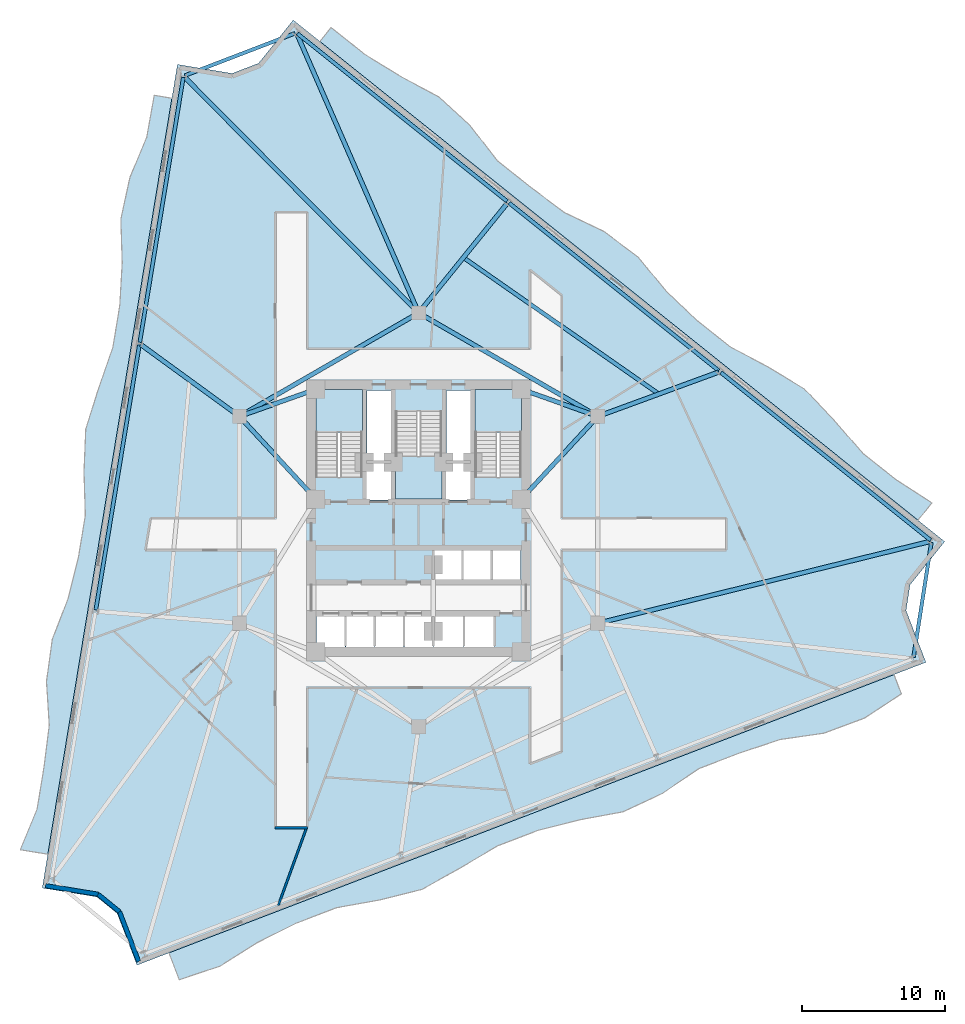
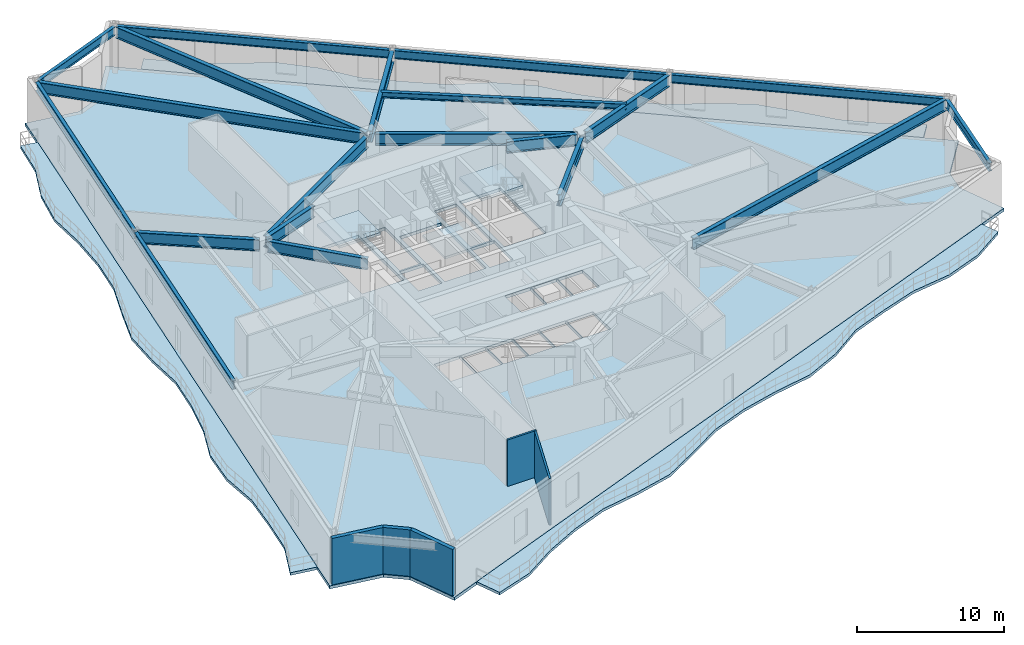
# One storey, part 3 of 11: 20 beams, 7 slabs, 5 walls, 3 elements without a shape of their own.
"""IFC4 building model written with IfcOpenShell, lengths in metres."""

import ifcopenshell
import ifcopenshell.guid

model = None  # the IFC model being written
_history = None  # IfcOwnerHistory: only IFC2X3 demands one
_inside = {}  # id of a spatial element -> (the spatial element, [elements in it])
_under = {}  # id of a project, library or spatial element -> (it, [spatial elements below it])
_declared = {}  # id of a project -> (the project, [libraries it declares])
_typed = {}  # id of a type object -> (the type object, [elements of that type])
_made_of = {}  # id of a material, layer set ... -> (it, [elements and type objects made of it])


def new_model(schema):
    """Start an empty IFC model of exactly this schema.

    Asked for "IFC4X3", IfcOpenShell would pick the latest addendum, in which some entities
    have other attributes; the version numbers below select the first issue.
    IFC2X3 requires an IfcOwnerHistory on every rooted entity: one is made here for all.
    """
    global model, _history
    if schema == "IFC4X3":
        model = ifcopenshell.file(schema_version=(4, 3, 0, 0))
    else:
        model = ifcopenshell.file(schema=schema)
    _inside.clear()
    _under.clear()
    _declared.clear()
    _typed.clear()
    _made_of.clear()
    _history = None
    if model.schema == "IFC2X3":
        org = make("IfcOrganization", Name="unknown")
        user = make(
            "IfcPersonAndOrganization",
            ThePerson=make("IfcPerson", FamilyName="unknown"),
            TheOrganization=org,
        )
        app = make(
            "IfcApplication",
            ApplicationDeveloper=org,
            Version="unknown",
            ApplicationFullName="unknown",
            ApplicationIdentifier="unknown",
        )
        _history = make(
            "IfcOwnerHistory",
            OwningUser=user,
            OwningApplication=app,
            ChangeAction="ADDED",
            CreationDate=0,
        )
    return model


def make(cls, **values):
    """One entity of the class cls with the attributes given. An attribute that is None is left unset."""
    return model.create_entity(
        cls, **{name: value for name, value in values.items() if value is not None}
    )


def rooted(cls, **values):
    """An entity with a GlobalId (a new one), such as an element, a storey or a relation."""
    return make(cls, GlobalId=ifcopenshell.guid.new(), OwnerHistory=_history, **values)


def si_unit(unit_type, name, prefix=None):
    """IfcSIUnit, for example si_unit("LENGTHUNIT", "METRE", prefix="MILLI")."""
    return make("IfcSIUnit", UnitType=unit_type, Prefix=prefix, Name=name)


def assignment(units):
    """IfcUnitAssignment: the units of a project."""
    return None if units is None else make("IfcUnitAssignment", Units=units)


def point(xyz):
    """IfcCartesianPoint."""
    return None if xyz is None else make("IfcCartesianPoint", Coordinates=xyz)


def direction(xyz):
    """IfcDirection."""
    return None if xyz is None else make("IfcDirection", DirectionRatios=xyz)


def frame(location, z_axis=None, x_axis=None):
    """IfcAxis2Placement3D, a coordinate frame: its origin and axes. An axis left out is left unset."""
    return make(
        "IfcAxis2Placement3D",
        Location=point(location),
        Axis=direction(z_axis),
        RefDirection=direction(x_axis),
    )


def frame_2d(location, x_axis=None):
    """IfcAxis2Placement2D, a coordinate frame in the plane: its origin and x axis."""
    return make(
        "IfcAxis2Placement2D", Location=point(location), RefDirection=direction(x_axis)
    )


def origin():
    """The frame at (0, 0, 0) with its axes left unset."""
    return frame((0.0, 0.0, 0.0))


def origin_2d():
    """The frame at (0, 0) in the plane with its x axis left unset."""
    return frame_2d((0.0, 0.0))


def place(relative_to, where):
    """IfcLocalPlacement: puts the frame where relative to a parent placement (None: the world)."""
    return make(
        "IfcLocalPlacement", PlacementRelTo=relative_to, RelativePlacement=where
    )


def context(
    kind, dimensions, precision=None, world=None, true_north=None, identifier=None
):
    """IfcGeometricRepresentationContext, for example the 3D "Model" context."""
    return make(
        "IfcGeometricRepresentationContext",
        ContextIdentifier=identifier,
        ContextType=kind,
        CoordinateSpaceDimension=dimensions,
        Precision=precision,
        WorldCoordinateSystem=world,
        TrueNorth=true_north,
    )


def subcontext(parent, identifier, kind, view, scale=None):
    """IfcGeometricRepresentationSubContext, for example "Body" below "Model"."""
    return make(
        "IfcGeometricRepresentationSubContext",
        ContextIdentifier=identifier,
        ContextType=kind,
        ParentContext=parent,
        TargetScale=scale,
        TargetView=view,
    )


def project(units=None, contexts=None):
    """IfcProject with its units and contexts."""
    return rooted(
        "IfcProject",
        Name="project",
        RepresentationContexts=contexts,
        UnitsInContext=assignment(units),
    )


def spatial(cls, under=None, at=None, **own):
    """A site, building, storey or space (cls), placed at a placement, below another one or the project."""
    s = rooted(cls, ObjectPlacement=at, **own)
    if under is not None:
        _under.setdefault(under.id(), (under, []))[1].append(s)
    return s


def polyline(points):
    """IfcPolyline through the points."""
    return make("IfcPolyline", Points=[point(p) for p in points])


def profile(cls, at=None, kind="AREA", **sizes):
    """A parametric profile (cls). Its sizes go by their IFC names, for example OverallWidth=200.0."""
    return make(cls, ProfileType=kind, Position=at, **sizes)


def rectangle(**sizes):
    """IfcRectangleProfileDef."""
    return profile("IfcRectangleProfileDef", **sizes)


def i_section(**sizes):
    """IfcIShapeProfileDef."""
    return profile("IfcIShapeProfileDef", **sizes)


def outline(outer, holes=None, kind="AREA"):
    """IfcArbitraryClosedProfileDef: a profile drawn as a closed curve; with holes, ...WithVoids."""
    if holes is None:
        return make("IfcArbitraryClosedProfileDef", ProfileType=kind, OuterCurve=outer)
    return make(
        "IfcArbitraryProfileDefWithVoids",
        ProfileType=kind,
        OuterCurve=outer,
        InnerCurves=holes,
    )


def extrude(swept, where, along, depth):
    """IfcExtrudedAreaSolid: the profile swept, set in the frame where, extruded along a direction by depth."""
    return make(
        "IfcExtrudedAreaSolid",
        SweptArea=swept,
        Position=where,
        ExtrudedDirection=direction(along),
        Depth=depth,
    )


def shape(context_of_items, identifier, shape_type, items):
    """IfcShapeRepresentation: the items that make up one representation, for example the "Body"."""
    return make(
        "IfcShapeRepresentation",
        ContextOfItems=context_of_items,
        RepresentationIdentifier=identifier,
        RepresentationType=shape_type,
        Items=items,
    )


def material(Name=None, Category=None):
    """IfcMaterial."""
    return make("IfcMaterial", Name=Name, Category=Category)


def layer(
    of_material, thickness, ventilated=None, Name=None, Category=None, Priority=None
):
    """IfcMaterialLayer: one layer of a wall or slab, of a material (None: an air gap)."""
    return make(
        "IfcMaterialLayer",
        Material=of_material,
        LayerThickness=thickness,
        IsVentilated=ventilated,
        Name=Name,
        Category=Category,
        Priority=Priority,
    )


def layer_set(layers, Name=None):
    """IfcMaterialLayerSet."""
    return make("IfcMaterialLayerSet", MaterialLayers=layers, LayerSetName=Name)


def material_profile(
    of_material, cross_section, Name=None, Category=None, Priority=None
):
    """IfcMaterialProfile: a cross section and its material."""
    return make(
        "IfcMaterialProfile",
        Name=Name,
        Material=of_material,
        Profile=cross_section,
        Priority=Priority,
        Category=Category,
    )


def profile_set(profiles, Name=None, composite=None):
    """IfcMaterialProfileSet."""
    return make(
        "IfcMaterialProfileSet",
        Name=Name,
        MaterialProfiles=profiles,
        CompositeProfile=composite,
    )


def made_of(thing, what):
    """Note that an element or type object is made of a material, layer set ...; save() writes the relation."""
    if what is not None:
        _made_of.setdefault(what.id(), (what, []))[1].append(thing)
    return thing


def type_object(cls, material=None, **own):
    """A type object (cls), such as IfcWallType, which elements share."""
    return made_of(rooted(cls, **own), material)


def element(
    cls,
    number,
    at=None,
    inside=None,
    cuts=None,
    type_object=None,
    material=None,
    context=None,
    identifier="Body",
    shape_type=None,
    held_by="IfcProductDefinitionShape",
    body=None,
    shapes=None,
    **own,
):
    """One element of the class cls, such as IfcWall. Its Tag is "e" and its number.

    at: its placement. inside: the storey or other place that contains it. cuts: it is an
    opening in that element (IfcRelVoidsElement). A single representation is given by context,
    identifier, shape_type and body (its items); several are given by shapes. held_by: the class
    of the entity that holds the representations. save() writes the other relations.
    """
    e = rooted(cls, Tag="e%d" % number, ObjectPlacement=at, **own)
    if body is not None:
        shapes = [shape(context, identifier, shape_type, body)]
    if shapes is not None:
        e.Representation = make(held_by, Representations=shapes)
    if inside is not None:
        _inside.setdefault(inside.id(), (inside, []))[1].append(e)
    if cuts is not None:
        rooted(
            "IfcRelVoidsElement", RelatingBuildingElement=cuts, RelatedOpeningElement=e
        )
    if type_object is not None:
        _typed.setdefault(type_object.id(), (type_object, []))[1].append(e)
    return made_of(e, material)


def aggregate(whole, parts):
    """IfcRelAggregates: a whole, such as a stair, and the parts it consists of."""
    return rooted("IfcRelAggregates", RelatingObject=whole, RelatedObjects=parts)


def save(model, path):
    """Write the relations noted so far, then the file.

    IfcRelAggregates (storeys below a building ...), IfcRelContainedInSpatialStructure (elements
    in a storey), IfcRelDefinesByType, IfcRelAssociatesMaterial and IfcRelDeclares: one each for
    every whole, place, type object, material and project.
    """
    for whole, parts in _under.values():
        aggregate(whole, parts)
    for where, things in _inside.values():
        rooted(
            "IfcRelContainedInSpatialStructure",
            RelatedElements=things,
            RelatingStructure=where,
        )
    for kind, things in _typed.values():
        rooted("IfcRelDefinesByType", RelatedObjects=things, RelatingType=kind)
    for what, things in _made_of.values():
        rooted("IfcRelAssociatesMaterial", RelatedObjects=things, RelatingMaterial=what)
    for by, libraries in _declared.values():
        rooted("IfcRelDeclares", RelatingContext=by, RelatedDefinitions=libraries)
    model.write(path)


model = new_model("IFC4")

# Units and contexts
model_context = context("Model", 3, precision=1e-05, world=origin(), true_north=direction((0.0, 1.0)))
body_context = subcontext(model_context, "Body", "Model", "MODEL_VIEW")
ifc_project = project(units=[si_unit("LENGTHUNIT", "METRE"), si_unit("AREAUNIT", "SQUARE_METRE"), si_unit("VOLUMEUNIT", "CUBIC_METRE"), si_unit("PLANEANGLEUNIT", "RADIAN"), si_unit("MASSUNIT", "GRAM", prefix="KILO")], contexts=[model_context])

# Site, building, storey
site_placement = place(None, origin())
site = spatial("IfcSite", under=ifc_project, at=site_placement, CompositionType="ELEMENT")
building_placement = place(site_placement, origin())
building = spatial("IfcBuilding", under=site, at=building_placement, Name="Apsidion Concourse Tower", CompositionType="ELEMENT")
storey_placement = place(building_placement, frame((0.0, 0.0, 132.199951171875)))
storey = spatial("IfcBuildingStorey", under=building, at=storey_placement, Name="L30", CompositionType="ELEMENT", Elevation=132.199951171875)

# Beams
ifc_material_1 = material(Name="Structural steel ASTM A992 Grade 50", Category="steel")
ifc_material_profile_1 = material_profile(ifc_material_1, i_section(OverallWidth=0.280029296875, OverallDepth=0.462890625, WebThickness=0.0107421875, FlangeThickness=0.017333984375, at=origin_2d()), Name="W18X76")
ifc_profile_set_1 = profile_set([ifc_material_profile_1], Name="Structural steel ASTM A992 Grade 50")
beam_type_1 = type_object("IfcBeamType", Name="BM-FL-W18M", PredefinedType="BEAM", material=ifc_profile_set_1)
beam_1_placement = place(storey_placement, frame((16.836181640625, 8.818359375, 3.61865234375), z_axis=(-0.819987071057, 0.572382043131, 0.0), x_axis=(-0.572382043131, -0.819987071057, 0.0)))
element("IfcBeam", 1, at=beam_1_placement, inside=storey, type_object=beam_type_1, Name="L30 Secondary Floor Beam SEC-F3", PredefinedType="BEAM", context=body_context, shape_type="SweptSolid", body=[
    extrude(i_section(OverallWidth=0.280029296875, OverallDepth=0.462890625, WebThickness=0.0107421875, FlangeThickness=0.017333984375, at=origin_2d()), origin(), (0.0, 0.0, 1.0), 16.70703125),
])
ifc_material_profile_2 = material_profile(ifc_material_1, i_section(OverallWidth=0.31005859375, OverallDepth=0.931884765625, WebThickness=0.02099609375, FlangeThickness=0.034423828125, at=origin_2d()), Name="W36X210")
ifc_profile_set_2 = profile_set([ifc_material_profile_2], Name="Structural steel ASTM A992 Grade 50")
beam_type_2 = type_object("IfcBeamType", Name="BM-G-W36", PredefinedType="USERDEFINED", material=ifc_profile_set_2)
beam_2_placement = place(storey_placement, frame((12.28857421875, 6.956298828125, 3.384033203125), z_axis=(-0.678712876106, -0.73440372535, 0.0), x_axis=(0.73440372535, -0.678712876106, 0.0)))
element("IfcBeam", 2, at=beam_2_placement, inside=storey, type_object=beam_type_2, Name="L30 Core Coupling Girder IC3-SC3", ObjectType="GIRDER", PredefinedType="USERDEFINED", context=body_context, shape_type="SweptSolid", body=[
    extrude(i_section(OverallWidth=0.31005859375, OverallDepth=0.931884765625, WebThickness=0.02099609375, FlangeThickness=0.034423828125, at=origin_2d()), origin(), (0.0, 0.0, 1.0), 7.097412109375),
])
beam_3_placement = place(storey_placement, frame((12.18310546875, 7.383544921875, 3.384033203125), z_axis=(-0.942533844539, 0.334110688094, 0.0), x_axis=(-0.334110688094, -0.942533844539, 0.0)))
element("IfcBeam", 3, at=beam_3_placement, inside=storey, type_object=beam_type_2, Name="L30 Core Coupling Girder IC3-SC4", ObjectType="GIRDER", PredefinedType="USERDEFINED", context=body_context, shape_type="SweptSolid", body=[
    extrude(i_section(OverallWidth=0.31005859375, OverallDepth=0.931884765625, WebThickness=0.02099609375, FlangeThickness=0.034423828125, at=origin_2d()), origin(), (0.0, 0.0, 1.0), 4.886962890625),
])
beam_4_placement = place(storey_placement, frame((-12.28857421875, 6.956298828125, 3.384033203125), z_axis=(0.678712876106, -0.73440372535, 0.0), x_axis=(0.73440372535, 0.678712876106, 0.0)))
element("IfcBeam", 4, at=beam_4_placement, inside=storey, type_object=beam_type_2, Name="L30 Core Coupling Girder IC5-SC6", ObjectType="GIRDER", PredefinedType="USERDEFINED", context=body_context, shape_type="SweptSolid", body=[
    extrude(i_section(OverallWidth=0.31005859375, OverallDepth=0.931884765625, WebThickness=0.02099609375, FlangeThickness=0.034423828125, at=origin_2d()), origin(), (0.0, 0.0, 1.0), 7.097412109375),
])
beam_5_placement = place(storey_placement, frame((-12.18310546875, 7.383544921875, 3.384033203125), z_axis=(0.942533844539, 0.334110688094, 0.0), x_axis=(-0.334110688094, 0.942533844539, 0.0)))
element("IfcBeam", 5, at=beam_5_placement, inside=storey, type_object=beam_type_2, Name="L30 Core Coupling Girder IC5-SC5", ObjectType="GIRDER", PredefinedType="USERDEFINED", context=body_context, shape_type="SweptSolid", body=[
    extrude(i_section(OverallWidth=0.31005859375, OverallDepth=0.931884765625, WebThickness=0.02099609375, FlangeThickness=0.034423828125, at=origin_2d()), origin(), (0.0, 0.0, 1.0), 4.886962890625),
])
for number, where, z_axis, x_axis, name in (
    (6, (-12.213623046875, 7.449951171875, 3.384033203125), (0.866070471464, 0.499921932364, 0.0), (-0.499921932364, 0.866070471464, 0.0), "L30 Core Coupling Girder IC5-IC4"),
    (7, (0.346435546875, 14.300048828125, 3.384033203125), (0.866070471464, -0.499921932364, 0.0), (0.499921932364, 0.866070471464, 0.0), "L30 Core Coupling Girder IC4-IC3"),
):
    element("IfcBeam", number, at=place(storey_placement, frame(where, z_axis=z_axis, x_axis=x_axis)), inside=storey, type_object=beam_type_2, Name=name, ObjectType="GIRDER", PredefinedType="USERDEFINED", context=body_context, shape_type="SweptSolid", body=[
        extrude(i_section(OverallWidth=0.31005859375, OverallDepth=0.931884765625, WebThickness=0.02099609375, FlangeThickness=0.034423828125, at=origin_2d()), origin(), (0.0, 0.0, 1.0), 13.702392578125),
    ])
beam_6_placement = place(storey_placement, frame((-0.155029296875, 14.656005859375, 3.384033203125), z_axis=(-0.704472079086, 0.709731702679, 0.0), x_axis=(-0.709731702679, -0.704472079086, 0.0)))
element("IfcBeam", 8, at=beam_6_placement, inside=storey, type_object=beam_type_2, Name="L30 Radial Floor Girder RAD-01", ObjectType="GIRDER", PredefinedType="USERDEFINED", context=body_context, shape_type="SweptSolid", body=[
    extrude(i_section(OverallWidth=0.31005859375, OverallDepth=0.931884765625, WebThickness=0.02099609375, FlangeThickness=0.034423828125, at=origin_2d()), origin(), (0.0, 0.0, 1.0), 23.069580078125),
])
beam_7_placement = place(storey_placement, frame((-12.73779296875, 7.37939453125, 3.384033203125), z_axis=(-0.80838519092, 0.588653873767, 0.0), x_axis=(-0.588653873767, -0.80838519092, 0.0)))
element("IfcBeam", 9, at=beam_7_placement, inside=storey, type_object=beam_type_2, Name="L30 Radial Floor Girder RAD-02", ObjectType="GIRDER", PredefinedType="USERDEFINED", context=body_context, shape_type="SweptSolid", body=[
    extrude(i_section(OverallWidth=0.31005859375, OverallDepth=0.931884765625, WebThickness=0.02099609375, FlangeThickness=0.034423828125, at=origin_2d()), origin(), (0.0, 0.0, 1.0), 8.337646484375),
])
beam_8_placement = place(storey_placement, frame((12.773681640625, -7.197509765625, 3.384033203125), z_axis=(0.970978267366, 0.239167732569, 0.0), x_axis=(-0.239167732569, 0.970978267366, 0.0)))
element("IfcBeam", 10, at=beam_8_placement, inside=storey, type_object=beam_type_2, Name="L30 Radial Floor Girder RAD-09", ObjectType="GIRDER", PredefinedType="USERDEFINED", context=body_context, shape_type="SweptSolid", body=[
    extrude(i_section(OverallWidth=0.31005859375, OverallDepth=0.931884765625, WebThickness=0.02099609375, FlangeThickness=0.034423828125, at=origin_2d()), origin(), (0.0, 0.0, 1.0), 23.770263671875),
])
beam_9_placement = place(storey_placement, frame((12.7666015625, 7.32568359375, 3.384033203125), z_axis=(0.938840099728, 0.34435340443, 0.0), x_axis=(-0.34435340443, 0.938840099728, 0.0)))
element("IfcBeam", 11, at=beam_9_placement, inside=storey, type_object=beam_type_2, Name="L30 Radial Floor Girder RAD-10", ObjectType="GIRDER", PredefinedType="USERDEFINED", context=body_context, shape_type="SweptSolid", body=[
    extrude(i_section(OverallWidth=0.31005859375, OverallDepth=0.931884765625, WebThickness=0.02099609375, FlangeThickness=0.034423828125, at=origin_2d()), origin(), (0.0, 0.0, 1.0), 8.789306640625),
])
beam_10_placement = place(storey_placement, frame((0.13818359375, 14.671142578125, 3.384033203125), z_axis=(0.628598256624, 0.777730179284, 0.0), x_axis=(-0.777730179284, 0.628598256624, 0.0)))
element("IfcBeam", 12, at=beam_10_placement, inside=storey, type_object=beam_type_2, Name="L30 Radial Floor Girder RAD-11", ObjectType="GIRDER", PredefinedType="USERDEFINED", context=body_context, shape_type="SweptSolid", body=[
    extrude(i_section(OverallWidth=0.31005859375, OverallDepth=0.931884765625, WebThickness=0.02099609375, FlangeThickness=0.034423828125, at=origin_2d()), origin(), (0.0, 0.0, 1.0), 9.660400390625),
])
beam_11_placement = place(storey_placement, frame((-0.087890625, 14.70166015625, 3.384033203125), z_axis=(-0.39980027304, 0.916602281078, 0.0), x_axis=(-0.916602281078, -0.39980027304, 0.0)))
element("IfcBeam", 13, at=beam_11_placement, inside=storey, type_object=beam_type_2, Name="L30 Radial Floor Girder RAD-12", ObjectType="GIRDER", PredefinedType="USERDEFINED", context=body_context, shape_type="SweptSolid", body=[
    extrude(i_section(OverallWidth=0.31005859375, OverallDepth=0.931884765625, WebThickness=0.02099609375, FlangeThickness=0.034423828125, at=origin_2d()), origin(), (0.0, 0.0, 1.0), 21.104248046875),
])
ifc_material_profile_3 = material_profile(ifc_material_1, i_section(OverallWidth=0.256103515625, OverallDepth=0.693115234375, WebThickness=0.014404296875, FlangeThickness=0.023681640625, at=origin_2d()), Name="W27X114")
ifc_profile_set_3 = profile_set([ifc_material_profile_3], Name="Structural steel ASTM A992 Grade 50")
beam_type_3 = type_object("IfcBeamType", Name="BM-SP-W27", PredefinedType="SPANDREL", material=ifc_profile_set_3)
for number, where, z_axis, x_axis, name in (
    (14, (-16.493408203125, 31.001708984375, 3.503662109375), (-0.162122790078, -0.986770591849, 0.0), (0.986770591849, -0.162122790078, 0.0), "L30 Perimeter Spandrel Girder SP-01"),
    (15, (-19.57470703125, 12.24755859375, 3.503662109375), (-0.162110148975, -0.986772668652, 0.0), (0.986772668652, -0.162110148975, 0.0), "L30 Perimeter Spandrel Girder SP-02"),
):
    element("IfcBeam", number, at=place(storey_placement, frame(where, z_axis=z_axis, x_axis=x_axis)), inside=storey, type_object=beam_type_3, Name=name, PredefinedType="SPANDREL", context=body_context, shape_type="SweptSolid", body=[
        extrude(i_section(OverallWidth=0.256103515625, OverallDepth=0.693115234375, WebThickness=0.014404296875, FlangeThickness=0.023681640625, at=origin_2d()), origin(), (0.0, 0.0, 1.0), 18.8056640625),
    ])
beam_12_placement = place(storey_placement, frame((34.68408203125, -9.64013671875, 3.503662109375), z_axis=(0.153594554534, 0.988133954896, 0.0), x_axis=(-0.988133954896, 0.153594554534, 0.0)))
element("IfcBeam", 16, at=beam_12_placement, inside=storey, type_object=beam_type_3, Name="L30 Perimeter Spandrel Girder SP-08", PredefinedType="SPANDREL", context=body_context, shape_type="SweptSolid", body=[
    extrude(i_section(OverallWidth=0.256103515625, OverallDepth=0.693115234375, WebThickness=0.014404296875, FlangeThickness=0.023681640625, at=origin_2d()), origin(), (0.0, 0.0, 1.0), 8.1494140625),
])
beam_13_placement = place(storey_placement, frame((35.873046875, -1.426025390625, 3.503662109375), z_axis=(-0.780761138975, 0.624829611868, 0.0), x_axis=(-0.624829611868, -0.780761138975, 0.0)))
element("IfcBeam", 17, at=beam_13_placement, inside=storey, type_object=beam_type_3, Name="L30 Perimeter Spandrel Girder SP-09", PredefinedType="SPANDREL", context=body_context, shape_type="SweptSolid", body=[
    extrude(i_section(OverallWidth=0.256103515625, OverallDepth=0.693115234375, WebThickness=0.014404296875, FlangeThickness=0.023681640625, at=origin_2d()), origin(), (0.0, 0.0, 1.0), 18.805419921875),
])
for number, where, z_axis, x_axis, name in (
    (18, (21.0341796875, 10.44921875, 3.503662109375), (-0.780754805621, 0.624837525682, 0.0), (-0.624837525682, -0.780754805621, 0.0), "L30 Perimeter Spandrel Girder SP-10"),
    (19, (6.1953125, 22.32470703125, 3.503662109375), (-0.780754805621, 0.624837525682, 0.0), (-0.624837525682, -0.780754805621, 0.0), "L30 Perimeter Spandrel Girder SP-11"),
):
    element("IfcBeam", number, at=place(storey_placement, frame(where, z_axis=z_axis, x_axis=x_axis)), inside=storey, type_object=beam_type_3, Name=name, PredefinedType="SPANDREL", context=body_context, shape_type="SweptSolid", body=[
        extrude(i_section(OverallWidth=0.256103515625, OverallDepth=0.693115234375, WebThickness=0.014404296875, FlangeThickness=0.023681640625, at=origin_2d()), origin(), (0.0, 0.0, 1.0), 18.8056640625),
    ])
beam_14_placement = place(storey_placement, frame((-8.65869140625, 34.101806640625, 3.503662109375), z_axis=(-0.933572784053, -0.35838785816, 0.0), x_axis=(0.35838785816, -0.933572784053, 0.0)))
element("IfcBeam", 20, at=beam_14_placement, inside=storey, type_object=beam_type_3, Name="L30 Perimeter Spandrel Girder SP-12", PredefinedType="SPANDREL", context=body_context, shape_type="SweptSolid", body=[
    extrude(i_section(OverallWidth=0.256103515625, OverallDepth=0.693115234375, WebThickness=0.014404296875, FlangeThickness=0.023681640625, at=origin_2d()), origin(), (0.0, 0.0, 1.0), 8.274658203125),
])

# Slabs
ifc_material_2 = material(Name="Concrete C50/60", Category="concrete")
ifc_layer_1 = layer(ifc_material_2, 0.219970703125)
ifc_layer_set_1 = layer_set([ifc_layer_1], Name="Concrete C50/60")
slab_type_1 = type_object("IfcSlabType", Name="SL-BAL-220", PredefinedType="FLOOR", material=ifc_layer_set_1)
slab_1_placement = place(storey_placement, frame((0.0, 0.0, -0.219970703125)))
element("IfcSlab", 21, at=slab_1_placement, inside=storey, type_object=slab_type_1, Name="L30 Face 1 Rippling Balcony Slab", PredefinedType="FLOOR", context=body_context, shape_type="SweptSolid", body=[
    extrude(outline(polyline([(-17.293701171875, 29.547119140625), (-17.77685546875, 26.603515625), (-18.260009765625, 23.66015625), (-18.7431640625, 20.716552734375), (-19.226318359375, 17.77294921875), (-19.709716796875, 14.829345703125), (-20.192626953125, 11.8857421875), (-20.67578125, 8.9423828125), (-21.1591796875, 5.998779296875), (-21.642333984375, 3.05517578125), (-22.12548828125, 0.111572265625), (-22.608642578125, -2.83203125), (-23.091796875, -5.775390625), (-23.574951171875, -8.718994140625), (-24.05810546875, -11.66259765625), (-24.541259765625, -14.606201171875), (-25.0244140625, -17.5498046875), (-25.507568359375, -20.493408203125), (-25.99072265625, -23.43701171875), (-27.916015625, -23.120849609375), (-26.7412109375, -20.291015625), (-26.2578125, -17.347412109375), (-25.885986328125, -14.385498046875), (-26.08154296875, -11.33056640625), (-25.673583984375, -8.37451171875), (-24.56982421875, -5.532958984375), (-23.842041015625, -2.62939453125), (-23.35888671875, 0.314208984375), (-23.452392578125, 3.352294921875), (-23.3291015625, 6.35498046875), (-22.4228515625, 9.22900390625), (-21.42626953125, 12.08837890625), (-20.943115234375, 15.031982421875), (-20.773193359375, 18.02685546875), (-20.8701171875, 21.065673828125), (-20.237060546875, 23.984619140625), (-19.056884765625, 26.813720703125), (-18.527099609375, 29.749755859375), (-17.293701171875, 29.547119140625)])), origin(), (0.0, 0.0, 1.0), 0.219970703125),
])
slab_2_placement = place(storey_placement, frame((0.0, 0.0, -0.219970703125)))
element("IfcSlab", 22, at=slab_2_placement, inside=storey, type_object=slab_type_1, Name="L30 Face 2 Rippling Balcony Slab", PredefinedType="FLOOR", context=body_context, shape_type="SweptSolid", body=[
    extrude(outline(polyline([(-17.49853515625, -30.353271484375), (-14.67578125, -29.26953125), (-11.852783203125, -28.18603515625), (-9.02978515625, -27.102294921875), (-6.206787109375, -26.018798828125), (-3.3837890625, -24.93505859375), (-0.56103515625, -23.8515625), (2.261962890625, -22.767822265625), (5.0849609375, -21.68408203125), (7.90771484375, -20.6005859375), (10.730712890625, -19.51708984375), (13.5537109375, -18.433349609375), (16.376708984375, -17.349609375), (19.19970703125, -16.26611328125), (22.0224609375, -15.1826171875), (24.845458984375, -14.098876953125), (27.66845703125, -13.01513671875), (30.491455078125, -11.931640625), (33.314208984375, -10.847900390625), (33.830810546875, -12.193603515625), (31.2451171875, -13.8955078125), (28.411376953125, -14.950439453125), (25.3427734375, -15.394287109375), (22.470458984375, -16.349609375), (19.647705078125, -17.43310546875), (17.077392578125, -19.17529296875), (14.33251953125, -20.4619140625), (11.30810546875, -21.0205078125), (8.355712890625, -21.767578125), (5.532958984375, -22.851318359375), (2.892333984375, -24.409912109375), (0.22705078125, -25.904296875), (-2.7294921875, -26.640380859375), (-5.7587890625, -27.185791015625), (-8.581787109375, -28.269287109375), (-11.301513671875, -29.62158203125), (-13.90576171875, -31.275146484375), (-16.7783203125, -32.2294921875), (-17.49853515625, -30.353271484375)])), origin(), (0.0, 0.0, 1.0), 0.219970703125),
])
slab_3_placement = place(storey_placement, frame((0.0, 0.0, -0.219970703125)))
element("IfcSlab", 23, at=slab_3_placement, inside=storey, type_object=slab_type_1, Name="L30 Face 3 Rippling Balcony Slab", PredefinedType="FLOOR", context=body_context, shape_type="SweptSolid", body=[
    extrude(outline(polyline([(34.997314453125, -0.025634765625), (32.668701171875, 1.83837890625), (30.33984375, 3.70263671875), (28.01123046875, 5.56689453125), (25.6826171875, 7.430908203125), (23.353759765625, 9.295166015625), (21.025146484375, 11.159423828125), (18.6962890625, 13.023681640625), (16.36767578125, 14.8876953125), (14.0390625, 16.751953125), (11.71044921875, 18.6162109375), (9.381591796875, 20.480224609375), (7.052978515625, 22.344482421875), (4.724365234375, 24.208740234375), (2.3955078125, 26.072998046875), (0.06689453125, 27.93701171875), (-2.26171875, 29.80126953125), (-4.590576171875, 31.665283203125), (-6.919189453125, 33.529541015625), (-6.137939453125, 34.505615234375), (-3.809326171875, 32.641357421875), (-1.249755859375, 31.0654296875), (1.424560546875, 29.633056640625), (3.623291015625, 27.606689453125), (5.505615234375, 25.1845703125), (7.834228515625, 23.3203125), (10.222900390625, 21.53125), (12.98486328125, 20.208251953125), (15.373046875, 18.418212890625), (17.314697265625, 16.070556640625), (19.4775390625, 13.99951171875), (21.806396484375, 12.13525390625), (24.490478515625, 10.715087890625), (27.057373046875, 9.148193359375), (29.127685546875, 6.961669921875), (31.12109375, 4.678466796875), (33.44970703125, 2.814208984375), (35.966064453125, 1.184326171875), (34.997314453125, -0.025634765625)])), origin(), (0.0, 0.0, 1.0), 0.219970703125),
])
ifc_layer_2 = layer(ifc_material_2, 0.25)
ifc_layer_set_2 = layer_set([ifc_layer_2], Name="Concrete C50/60")
slab_type_2 = type_object("IfcSlabType", Name="SL-FLR-250", PredefinedType="FLOOR", material=ifc_layer_set_2)
slab_4_placement = place(storey_placement, frame((0.0, 0.0, -0.25)))
element("IfcSlab", 24, at=slab_4_placement, inside=storey, type_object=slab_type_2, Name="L30 Structural Floor Slab", PredefinedType="FLOOR", context=body_context, shape_type="SweptSolid", body=[
    extrude(outline(polyline([(-8.792724609375, 35.029541015625), (-11.219970703125, 31.997802734375), (-13.072509765625, 31.286376953125), (-16.905029296875, 31.91552734375), (-26.37939453125, -25.80517578125), (-22.547119140625, -26.434326171875), (-21.131103515625, -27.587646484375), (-19.7392578125, -31.21337890625), (35.554931640625, -9.98779296875), (34.1630859375, -6.3623046875), (34.44384765625, -4.5576171875), (36.870849609375, -1.525634765625), (-8.792724609375, 35.029541015625)]), holes=[polyline([(-3.949951171875, 3.0), (-3.949951171875, 9.14990234375), (-7.199951171875, 9.14990234375), (-7.199951171875, 3.0), (-3.949951171875, 3.0)]), polyline([(7.199951171875, 3.0), (7.199951171875, 9.14990234375), (3.949951171875, 9.14990234375), (3.949951171875, 3.0), (7.199951171875, 3.0)]), polyline([(-1.625, 7.60009765625), (-1.625, 1.449951171875), (1.625, 1.449951171875), (1.625, 7.60009765625), (-1.625, 7.60009765625)]), polyline([(1.054931640625, -4.300048828125), (3.044921875, -4.300048828125), (3.044921875, -2.050048828125), (1.054931640625, -2.050048828125), (1.054931640625, -4.300048828125)]), polyline([(3.10498046875, -4.300048828125), (5.094970703125, -4.300048828125), (5.094970703125, -2.050048828125), (3.10498046875, -2.050048828125), (3.10498046875, -4.300048828125)]), polyline([(5.155029296875, -4.300048828125), (7.14501953125, -4.300048828125), (7.14501953125, -2.050048828125), (5.155029296875, -2.050048828125), (5.155029296875, -4.300048828125)]), polyline([(-7.14501953125, -8.949951171875), (-5.155029296875, -8.949951171875), (-5.155029296875, -6.64990234375), (-7.14501953125, -6.64990234375), (-7.14501953125, -8.949951171875)]), polyline([(-5.094970703125, -8.949951171875), (-3.10498046875, -8.949951171875), (-3.10498046875, -6.64990234375), (-5.094970703125, -6.64990234375), (-5.094970703125, -8.949951171875)]), polyline([(-3.044921875, -8.949951171875), (-1.054931640625, -8.949951171875), (-1.054931640625, -6.64990234375), (-3.044921875, -6.64990234375), (-3.044921875, -8.949951171875)]), polyline([(-0.9951171875, -8.949951171875), (0.9951171875, -8.949951171875), (0.9951171875, -6.64990234375), (-0.9951171875, -6.64990234375), (-0.9951171875, -8.949951171875)]), polyline([(1.044921875, -9.0), (3.155029296875, -9.0), (3.155029296875, -6.64990234375), (1.044921875, -6.64990234375), (1.044921875, -9.0)]), polyline([(3.195068359375, -9.0), (5.304931640625, -9.0), (5.304931640625, -6.64990234375), (3.195068359375, -6.64990234375), (3.195068359375, -9.0)]), polyline([(-3.7099609375, 1.39990234375), (-1.85009765625, 1.39990234375), (-1.85009765625, 4.0), (-3.7099609375, 4.0), (-3.7099609375, 1.39990234375)]), polyline([(1.85009765625, 1.39990234375), (3.7099609375, 1.39990234375), (3.7099609375, 4.0), (1.85009765625, 4.0), (1.85009765625, 1.39990234375)]), polyline([(-3.6201171875, 4.14990234375), (-1.93994140625, 4.14990234375), (-1.93994140625, 9.050048828125), (-3.6201171875, 9.050048828125), (-3.6201171875, 4.14990234375)]), polyline([(1.93994140625, 4.14990234375), (3.6201171875, 4.14990234375), (3.6201171875, 9.050048828125), (1.93994140625, 9.050048828125), (1.93994140625, 4.14990234375)])]), origin(), (0.0, 0.0, 1.0), 0.25),
])

# Stair, slab
ifc_material_3 = material(Name="Precast concrete C40/50", Category="concrete")
stair_type = type_object("IfcStairType", Name="ST-DL-1550", PredefinedType="HALF_TURN_STAIR", material=ifc_material_3)
stair_1_placement = place(storey_placement, origin())
stair_1 = element("IfcStair", 25, at=stair_1_placement, inside=storey, type_object=stair_type, Name="L30 Protected Core Exit Stair ST1", PredefinedType="HALF_TURN_STAIR")
ifc_layer_3 = layer(ifc_material_2, 0.199951171875)
ifc_layer_set_3 = layer_set([ifc_layer_3], Name="Concrete C50/60")
slab_type_3 = type_object("IfcSlabType", Name="SL-ST-LAND-200", PredefinedType="LANDING", material=ifc_layer_set_3)
slab_5_placement = place(storey_placement, frame((0.0, 0.0, 1.85009765625)))
slab_5 = element("IfcSlab", 26, at=slab_5_placement, type_object=slab_type_3, Name="ST1 landing 1", PredefinedType="LANDING", context=body_context, shape_type="SweptSolid", body=[
    extrude(outline(polyline([(-3.949951171875, 6.135009765625), (-3.949951171875, 9.14990234375), (-7.199951171875, 9.14990234375), (-7.199951171875, 6.135009765625), (-3.949951171875, 6.135009765625)])), origin(), (0.0, 0.0, 1.0), 0.199951171875),
])
aggregate(stair_1, [slab_5])

stair_2_placement = place(storey_placement, origin())
stair_2 = element("IfcStair", 27, at=stair_2_placement, inside=storey, type_object=stair_type, Name="L30 Protected Core Exit Stair ST2", PredefinedType="HALF_TURN_STAIR")
slab_6_placement = place(storey_placement, frame((0.0, 0.0, 1.85009765625)))
slab_6 = element("IfcSlab", 28, at=slab_6_placement, type_object=slab_type_3, Name="ST2 landing 1", PredefinedType="LANDING", context=body_context, shape_type="SweptSolid", body=[
    extrude(outline(polyline([(7.199951171875, 6.135009765625), (7.199951171875, 9.14990234375), (3.949951171875, 9.14990234375), (3.949951171875, 6.135009765625), (7.199951171875, 6.135009765625)])), origin(), (0.0, 0.0, 1.0), 0.199951171875),
])
aggregate(stair_2, [slab_6])

stair_3_placement = place(storey_placement, origin())
stair_3 = element("IfcStair", 29, at=stair_3_placement, inside=storey, type_object=stair_type, Name="L30 Protected Core Exit Stair ST3", PredefinedType="HALF_TURN_STAIR")
slab_7_placement = place(storey_placement, frame((0.0, 0.0, 1.85009765625)))
slab_7 = element("IfcSlab", 30, at=slab_7_placement, type_object=slab_type_3, Name="ST3 landing 1", PredefinedType="LANDING", context=body_context, shape_type="SweptSolid", body=[
    extrude(outline(polyline([(-1.625, 4.465087890625), (-1.625, 1.449951171875), (1.625, 1.449951171875), (1.625, 4.465087890625), (-1.625, 4.465087890625)])), origin(), (0.0, 0.0, 1.0), 0.199951171875),
])
aggregate(stair_3, [slab_7])

# Walls
ifc_layer_4 = layer(ifc_material_3, 0.300048828125)
ifc_layer_set_4 = layer_set([ifc_layer_4], Name="Precast concrete C40/50")
wall_type_1 = type_object("IfcWallType", Name="WL-EXT-300", PredefinedType="STANDARD", material=ifc_layer_set_4)
wall_1_placement = place(storey_placement, frame((-19.624267578125, -30.954833984375, 0.0), z_axis=(0.0, 0.0, 1.0), x_axis=(-0.358366059171, 0.933581152142, 0.0)))
element("IfcWall", 31, at=wall_1_placement, inside=storey, type_object=wall_type_1, Name="L30 Precast Stone Facade Wall 06", PredefinedType="STANDARD", context=body_context, shape_type="SweptSolid", body=[
    extrude(rectangle(XDim=3.73681640625, YDim=0.300048828125, at=frame_2d((1.868408203125, 0.0))), origin(), (0.0, 0.0, 1.0), 3.85009765625),
])
wall_2_placement = place(storey_placement, frame((-20.96337890625, -27.46630859375, 0.0), z_axis=(0.0, 0.0, 1.0), x_axis=(-0.775367830134, 0.631509879569, 0.0)))
element("IfcWall", 32, at=wall_2_placement, inside=storey, type_object=wall_type_1, Name="L30 Precast Stone Facade Wall 07", PredefinedType="STANDARD", context=body_context, shape_type="SweptSolid", body=[
    extrude(rectangle(XDim=1.93310546875, YDim=0.300048828125, at=frame_2d((0.966552734375, 0.0))), origin(), (0.0, 0.0, 1.0), 3.85009765625),
])
wall_3_placement = place(storey_placement, frame((-22.462158203125, -26.24560546875, 0.0), z_axis=(0.0, 0.0, 1.0), x_axis=(-0.986786597315, 0.16202534172, 0.0)))
element("IfcWall", 33, at=wall_3_placement, inside=storey, type_object=wall_type_1, Name="L30 Precast Stone Facade Wall 08", PredefinedType="STANDARD", context=body_context, shape_type="SweptSolid", body=[
    extrude(rectangle(XDim=3.73681640625, YDim=0.300048828125, at=frame_2d((1.868408203125, 0.0))), origin(), (0.0, 0.0, 1.0), 3.85009765625),
])
ifc_material_4 = material(Name="Gypsum plasterboard partition")
ifc_layer_5 = layer(ifc_material_4, 0.14990234375)
ifc_layer_set_5 = layer_set([ifc_layer_5], Name="Gypsum plasterboard partition")
wall_type_2 = type_object("IfcWallType", Name="WL-INT-PAR-150", PredefinedType="PARTITIONING", material=ifc_layer_set_5)
wall_4_placement = place(storey_placement, frame((-7.7900390625, -21.580078125, 0.0), z_axis=(0.0, 0.0, 1.0), x_axis=(-1.0, 0.0, 0.0)))
element("IfcWall", 34, at=wall_4_placement, inside=storey, type_object=wall_type_2, Name="L30 Interior Partition WL-L30-CORR-05", PredefinedType="PARTITIONING", context=body_context, shape_type="SweptSolid", body=[
    extrude(rectangle(XDim=2.260009765625, YDim=0.14990234375, at=frame_2d((1.1298828125, 0.0))), origin(), (0.0, 0.0, 1.0), 3.85009765625),
])
wall_5_placement = place(storey_placement, frame((-7.892578125, -21.68505859375, 0.0), z_axis=(0.0, 0.0, 1.0), x_axis=(-0.342064129915, -0.939676609811, 0.0)))
element("IfcWall", 35, at=wall_5_placement, inside=storey, type_object=wall_type_2, Name="L30 Interior Partition WL-L30-RAD-05-2", PredefinedType="PARTITIONING", context=body_context, shape_type="SweptSolid", body=[
    extrude(rectangle(XDim=5.677734375, YDim=0.14990234375, at=frame_2d((2.8388671875, 0.0))), origin(), (0.0, 0.0, 1.0), 3.85009765625),
])

save(model, "model.ifc")
